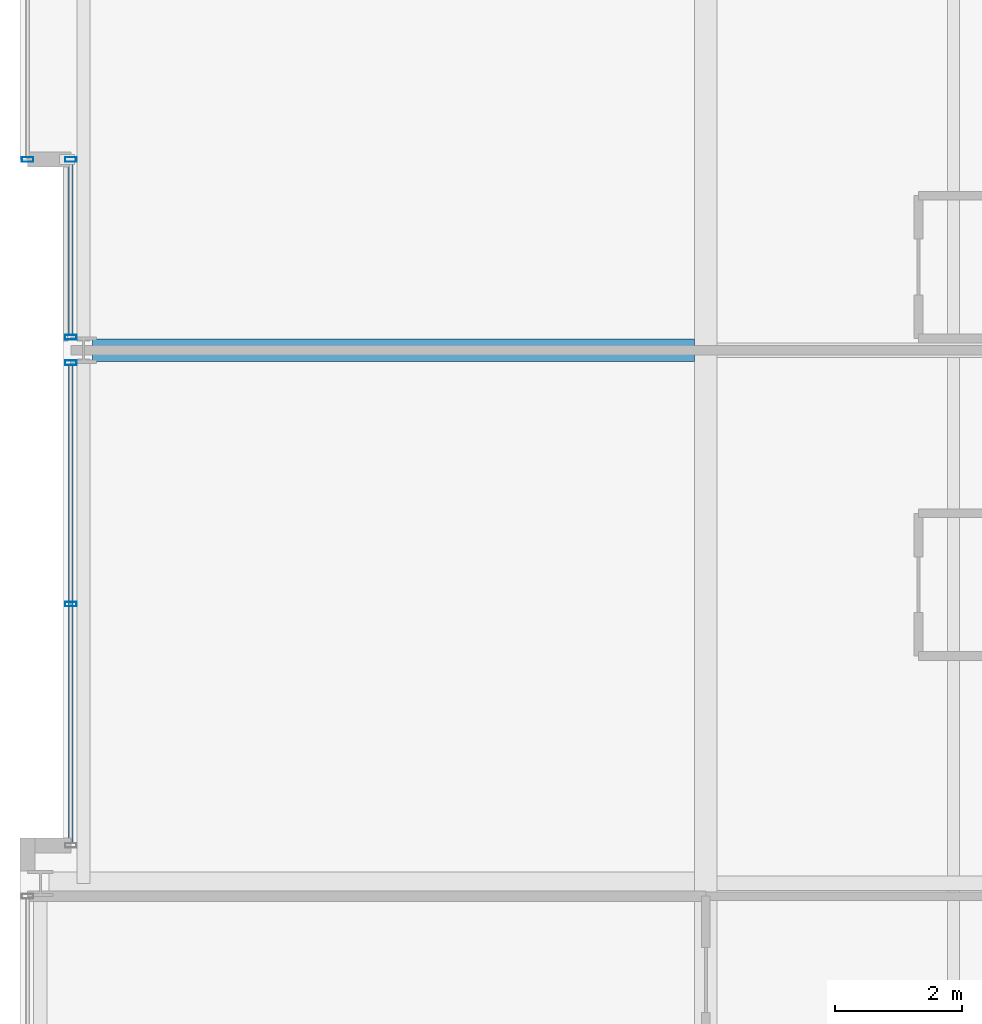
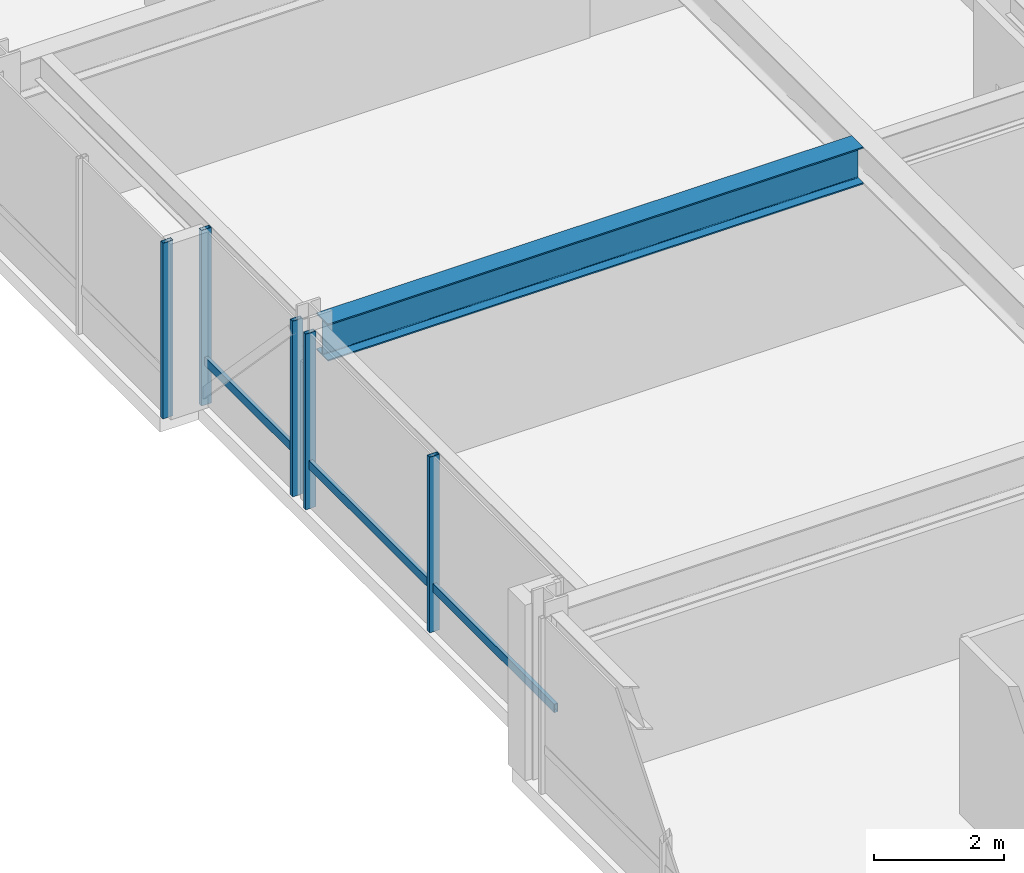
# One storey, part 9 of 33: 7 members, 1 beam, 3 elements without a shape of their own.
"""IFC4 building model written with IfcOpenShell, lengths in metres."""

from ifc_helpers import new_model, si_unit, direction, frame, origin, origin_2d, place, context, subcontext, project, spatial, hollow_rectangle, i_section, extrude, material, layer, layer_set, material_profile, profile_set, type_object, element, aggregate, save


model = new_model("IFC4")

# Units and contexts
model_context = context("Model", 3, precision=1e-05, world=origin(), true_north=direction((0.0, 1.0)))
body_context = subcontext(model_context, "Body", "Model", "MODEL_VIEW")
ifc_project = project(units=[si_unit("LENGTHUNIT", "METRE"), si_unit("AREAUNIT", "SQUARE_METRE"), si_unit("VOLUMEUNIT", "CUBIC_METRE"), si_unit("PLANEANGLEUNIT", "RADIAN"), si_unit("MASSUNIT", "GRAM", prefix="KILO")], contexts=[model_context])

# Site, building, storey
site_placement = place(None, origin())
site = spatial("IfcSite", under=ifc_project, at=site_placement, CompositionType="ELEMENT")
building_placement = place(site_placement, origin())
building = spatial("IfcBuilding", under=site, at=building_placement, Name="Drelvath Grand Hotel", CompositionType="ELEMENT")
storey_placement = place(building_placement, frame((0.0, 0.0, 153.949951171875)))
storey = spatial("IfcBuildingStorey", under=building, at=storey_placement, Name="L39", CompositionType="ELEMENT", Elevation=153.949951171875)

# Curtain wall, member
ifc_material_1 = material(Name="Brushed Pale-Silver Anodised Aluminium Frame", Category="aluminium")
ifc_layer = layer(ifc_material_1, 0.199951171875)
ifc_layer_set = layer_set([ifc_layer], Name="Brushed Pale-Silver Anodised Aluminium Frame")
curtain_wall_type = type_object("IfcCurtainWallType", Name="Stick Curtain Wall CW-04 Brushed Silver Upper-Mid", PredefinedType="NOTDEFINED", material=ifc_layer_set)
curtain_wall_1_placement = place(storey_placement, origin())
curtain_wall_1 = element("IfcCurtainWall", 1, at=curtain_wall_1_placement, inside=storey, type_object=curtain_wall_type, Name="L39 CW-04 Curtain Wall CW04-L39-WM1", PredefinedType="NOTDEFINED")
ifc_material_profile_1 = material_profile(ifc_material_1, hollow_rectangle(XDim=0.06494140625, YDim=0.159912109375, WallThickness=0.00390625, at=origin_2d()), Name="HSS160X65X4")
ifc_profile_set_1 = profile_set([ifc_material_profile_1], Name="Brushed Pale-Silver Anodised Aluminium Frame")
member_type_1 = type_object("IfcMemberType", Name="Curtain Wall Horizontal Transom CW-04 HSS160X65X4", PredefinedType="USERDEFINED", material=ifc_profile_set_1)
member_1_placement = place(storey_placement, frame((-26.199951171875, 19.239990234375, 0.822509765625), z_axis=(0.0, 1.0, 0.0), x_axis=(-1.0, 0.0, 0.0)))
member_1 = element("IfcMember", 2, at=member_1_placement, type_object=member_type_1, Name="CW04-L39-WM1 Sill Transom", ObjectType="TRANSOM", PredefinedType="USERDEFINED", context=body_context, shape_type="SweptSolid", body=[
    extrude(hollow_rectangle(XDim=0.06494140625, YDim=0.159912109375, WallThickness=0.00390625, at=origin_2d()), origin(), (0.0, 0.0, 1.0), 7.52001953125),
])

curtain_wall_2_placement = place(storey_placement, origin())
curtain_wall_2 = element("IfcCurtainWall", 3, at=curtain_wall_2_placement, inside=storey, type_object=curtain_wall_type, Name="L39 CW-04 Curtain Wall CW04-L39-WM2", PredefinedType="NOTDEFINED")
member_2_placement = place(storey_placement, frame((-26.199951171875, 27.239990234375, 0.822509765625), z_axis=(0.0, 1.0, 0.0), x_axis=(-1.0, 0.0, 0.0)))
member_2 = element("IfcMember", 4, at=member_2_placement, type_object=member_type_1, Name="CW04-L39-WM2 Sill Transom", ObjectType="TRANSOM", PredefinedType="USERDEFINED", context=body_context, shape_type="SweptSolid", body=[
    extrude(hollow_rectangle(XDim=0.06494140625, YDim=0.159912109375, WallThickness=0.00390625, at=origin_2d()), origin(), (0.0, 0.0, 1.0), 2.719970703125),
])

# Member
ifc_material_profile_2 = material_profile(ifc_material_1, hollow_rectangle(XDim=0.074951171875, YDim=0.179931640625, WallThickness=0.0048828125, at=origin_2d()), Name="HSS180X75X5")
ifc_profile_set_2 = profile_set([ifc_material_profile_2], Name="Brushed Pale-Silver Anodised Aluminium Frame")
member_type_2 = type_object("IfcMemberType", Name="Curtain Wall Vertical Mullion CW-04 HSS180X75X5", PredefinedType="MULLION", material=ifc_profile_set_2)
member_3_placement = place(storey_placement, frame((-26.199951171875, 23.0, 0.0), z_axis=(0.0, 0.0, 1.0), x_axis=(0.0, 1.0, 0.0)))
member_3 = element("IfcMember", 5, at=member_3_placement, type_object=member_type_2, Name="CW04-L39-WM1 Mullion 2", PredefinedType="MULLION", context=body_context, shape_type="SweptSolid", body=[
    extrude(hollow_rectangle(XDim=0.074951171875, YDim=0.179931640625, WallThickness=0.0048828125, at=origin_2d()), origin(), (0.0, 0.0, 1.0), 3.2900390625),
])

member_4_placement = place(storey_placement, frame((-26.199951171875, 26.7998046875, 0.0), z_axis=(0.0, 0.0, 1.0), x_axis=(0.0, 1.0, 0.0)))
member_4 = element("IfcMember", 6, at=member_4_placement, type_object=member_type_2, Name="CW04-L39-WM1 Mullion 3", PredefinedType="MULLION", context=body_context, shape_type="SweptSolid", body=[
    extrude(hollow_rectangle(XDim=0.074951171875, YDim=0.179931640625, WallThickness=0.0048828125, at=origin_2d()), origin(), (0.0, 0.0, 1.0), 3.2900390625),
])

aggregate(curtain_wall_1, [member_3, member_4, member_1])

member_5_placement = place(storey_placement, frame((-26.199951171875, 27.2001953125, 0.0), z_axis=(0.0, 0.0, 1.0), x_axis=(0.0, 1.0, 0.0)))
member_5 = element("IfcMember", 7, at=member_5_placement, type_object=member_type_2, Name="CW04-L39-WM2 Mullion 1", PredefinedType="MULLION", context=body_context, shape_type="SweptSolid", body=[
    extrude(hollow_rectangle(XDim=0.074951171875, YDim=0.179931640625, WallThickness=0.0048828125, at=origin_2d()), origin(), (0.0, 0.0, 1.0), 3.2900390625),
])

member_6_placement = place(storey_placement, frame((-26.199951171875, 30.0, 0.0), z_axis=(0.0, 0.0, 1.0), x_axis=(0.0, 1.0, 0.0)))
member_6 = element("IfcMember", 8, at=member_6_placement, type_object=member_type_2, Name="CW04-L39-WM2 Mullion 2", PredefinedType="MULLION", context=body_context, shape_type="SweptSolid", body=[
    extrude(hollow_rectangle(XDim=0.074951171875, YDim=0.179931640625, WallThickness=0.0048828125, at=origin_2d()), origin(), (0.0, 0.0, 1.0), 3.2900390625),
])

aggregate(curtain_wall_2, [member_5, member_6, member_2])

# Curtain wall, member
curtain_wall_3_placement = place(storey_placement, origin())
curtain_wall_3 = element("IfcCurtainWall", 9, at=curtain_wall_3_placement, inside=storey, type_object=curtain_wall_type, Name="L39 CW-04 Curtain Wall CW04-L39-WN1", PredefinedType="NOTDEFINED")
member_7_placement = place(storey_placement, frame((-26.8798828125, 30.0, 0.0), z_axis=(0.0, 0.0, 1.0), x_axis=(0.0, 1.0, 0.0)))
member_7 = element("IfcMember", 10, at=member_7_placement, type_object=member_type_2, Name="CW04-L39-WN1 Mullion 1", PredefinedType="MULLION", context=body_context, shape_type="SweptSolid", body=[
    extrude(hollow_rectangle(XDim=0.074951171875, YDim=0.179931640625, WallThickness=0.0048828125, at=origin_2d()), origin(), (0.0, 0.0, 1.0), 3.2900390625),
])
aggregate(curtain_wall_3, [member_7])

# Beam
ifc_material_2 = material(Name="Steel ASTM A992 Gr 50", Category="steel")
ifc_material_profile_3 = material_profile(ifc_material_2, i_section(OverallWidth=0.354736328125, OverallDepth=0.695556640625, WebThickness=0.015380859375, FlangeThickness=0.025146484375, FilletRadius=0.02392578125, at=origin_2d()), Name="W27X146")
ifc_profile_set_3 = profile_set([ifc_material_profile_3], Name="Steel ASTM A992 Gr 50")
beam_type = type_object("IfcBeamType", Name="Primary Floor Girder W27X146", PredefinedType="BEAM", material=ifc_profile_set_3)
beam_placement = place(storey_placement, frame((-25.860107421875, 27.0, 2.9423828125), z_axis=(1.0, 0.0, 0.0), x_axis=(0.0, 1.0, 0.0)))
element("IfcBeam", 11, at=beam_placement, inside=storey, type_object=beam_type, Name="L39 West Wing Girder E", PredefinedType="BEAM", context=body_context, shape_type="SweptSolid", body=[
    extrude(i_section(OverallWidth=0.354736328125, OverallDepth=0.695556640625, WebThickness=0.015380859375, FlangeThickness=0.025146484375, FilletRadius=0.02392578125, at=origin_2d()), origin(), (0.0, 0.0, 1.0), 9.482666015625),
])

save(model, "model.ifc")
